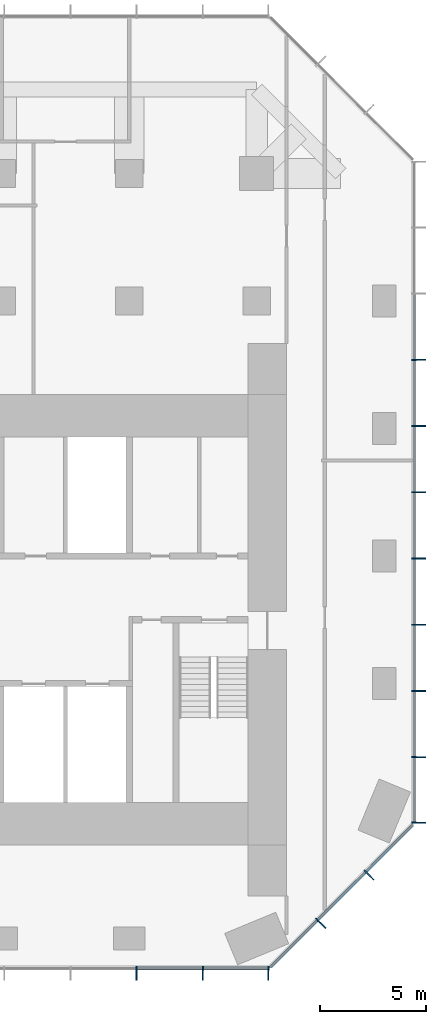
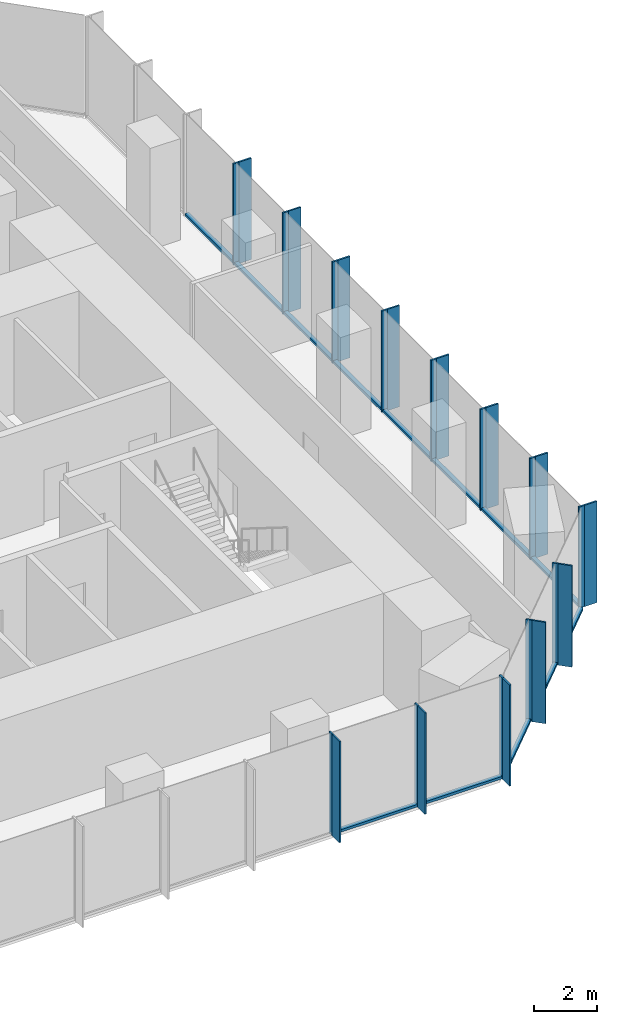
# One storey, part 4 of 11: 39 members, 3 elements without a shape of their own.
"""IFC4 building model written with IfcOpenShell, lengths in metres."""

from ifc_helpers import new_model, si_unit, direction, frame, origin, origin_2d, place, context, subcontext, project, spatial, rectangle, extrude, material, layer, layer_set, material_profile, profile_set, type_object, element, aggregate, save


model = new_model("IFC4")

# Units and contexts
model_context = context("Model", 3, precision=1e-05, world=origin(), true_north=direction((0.0, 1.0)))
body_context = subcontext(model_context, "Body", "Model", "MODEL_VIEW")
ifc_project = project(units=[si_unit("LENGTHUNIT", "METRE"), si_unit("AREAUNIT", "SQUARE_METRE"), si_unit("VOLUMEUNIT", "CUBIC_METRE"), si_unit("PLANEANGLEUNIT", "RADIAN"), si_unit("MASSUNIT", "GRAM", prefix="KILO")], contexts=[model_context])

# Site, building, storey
site_placement = place(None, origin())
site = spatial("IfcSite", under=ifc_project, at=site_placement, CompositionType="ELEMENT")
building_placement = place(site_placement, origin())
building = spatial("IfcBuilding", under=site, at=building_placement, Name="Highveld Stack Headquarters", CompositionType="ELEMENT")
storey_placement = place(building_placement, frame((0.0, 0.0, 196.699951171875)))
storey = spatial("IfcBuildingStorey", under=building, at=storey_placement, Name="L48", CompositionType="ELEMENT", Elevation=196.699951171875)

# Curtain wall, members
ifc_material_1 = material(Name="Aluminium bronze anodised", Category="aluminium")
ifc_layer_1 = layer(ifc_material_1, 0.199951171875)
ifc_layer_set_1 = layer_set([ifc_layer_1], Name="Aluminium bronze anodised")
curtain_wall_type_1 = type_object("IfcCurtainWallType", Name="CW1 TOWER UNITISED CURTAIN WALL", PredefinedType="NOTDEFINED", material=ifc_layer_set_1)
curtain_wall_1_placement = place(storey_placement, origin())
curtain_wall_1 = element("IfcCurtainWall", 1, at=curtain_wall_1_placement, inside=storey, type_object=curtain_wall_type_1, Name="Curtain wall CW1 L48 S", PredefinedType="NOTDEFINED")
ifc_material_2 = material(Name="Aluminium bronze anodised", Category="aluminium")
ifc_material_profile_1 = material_profile(ifc_material_2, rectangle(XDim=0.449951171875, YDim=0.06005859375, at=origin_2d()), Name="FIN 450x60")
ifc_profile_set_1 = profile_set([ifc_material_profile_1], Name="Aluminium bronze anodised")
member_type_1 = type_object("IfcMemberType", Name="CW1 BRONZE FIN 450x60", PredefinedType="USERDEFINED", material=ifc_profile_set_1)
member_1_placement = place(storey_placement, frame((12.347900390625, -13.72509765625, 0.0), z_axis=(0.0, 0.0, 1.0), x_axis=(0.0, 1.0, 0.0)))
member_1 = element("IfcMember", 2, at=member_1_placement, type_object=member_type_1, Name="CW1 fin L48 9", ObjectType="FIN", PredefinedType="USERDEFINED", context=body_context, shape_type="SweptSolid", body=[
    extrude(rectangle(XDim=0.449951171875, YDim=0.06005859375, at=origin_2d()), origin(), (0.0, 0.0, 1.0), 3.900146484375),
])
member_2_placement = place(storey_placement, frame((15.4638671875, -13.72509765625, 0.0), z_axis=(0.0, 0.0, 1.0), x_axis=(0.0, 1.0, 0.0)))
member_2 = element("IfcMember", 3, at=member_2_placement, type_object=member_type_1, Name="CW1 fin L48 10", ObjectType="FIN", PredefinedType="USERDEFINED", context=body_context, shape_type="SweptSolid", body=[
    extrude(rectangle(XDim=0.449951171875, YDim=0.06005859375, at=origin_2d()), origin(), (0.0, 0.0, 1.0), 3.900146484375),
])
member_3_placement = place(storey_placement, frame((18.54736328125, -13.72509765625, 0.0), z_axis=(0.0, 0.0, 1.0), x_axis=(0.0, 1.0, 0.0)))
member_3 = element("IfcMember", 4, at=member_3_placement, type_object=member_type_1, Name="CW1 fin L48 11", ObjectType="FIN", PredefinedType="USERDEFINED", context=body_context, shape_type="SweptSolid", body=[
    extrude(rectangle(XDim=0.449951171875, YDim=0.06005859375, at=origin_2d()), origin(), (0.0, 0.0, 1.0), 3.900146484375),
])

curtain_wall_2_placement = place(storey_placement, origin())
curtain_wall_2 = element("IfcCurtainWall", 5, at=curtain_wall_2_placement, inside=storey, type_object=curtain_wall_type_1, Name="Curtain wall CW1 L48 E", PredefinedType="NOTDEFINED")
member_4_placement = place(storey_placement, frame((25.72509765625, -6.54736328125, 0.0), z_axis=(0.0, 0.0, 1.0), x_axis=(-1.0, 0.0, 0.0)))
member_4 = element("IfcMember", 6, at=member_4_placement, type_object=member_type_1, Name="CW1 fin L48 1", ObjectType="FIN", PredefinedType="USERDEFINED", context=body_context, shape_type="SweptSolid", body=[
    extrude(rectangle(XDim=0.449951171875, YDim=0.06005859375, at=origin_2d()), origin(), (0.0, 0.0, 1.0), 3.900146484375),
])
member_5_placement = place(storey_placement, frame((25.72509765625, -3.4638671875, 0.0), z_axis=(0.0, 0.0, 1.0), x_axis=(-1.0, 0.0, 0.0)))
member_5 = element("IfcMember", 7, at=member_5_placement, type_object=member_type_1, Name="CW1 fin L48 2", ObjectType="FIN", PredefinedType="USERDEFINED", context=body_context, shape_type="SweptSolid", body=[
    extrude(rectangle(XDim=0.449951171875, YDim=0.06005859375, at=origin_2d()), origin(), (0.0, 0.0, 1.0), 3.900146484375),
])
member_6_placement = place(storey_placement, frame((25.72509765625, -0.347900390625, 0.0), z_axis=(0.0, 0.0, 1.0), x_axis=(-1.0, 0.0, 0.0)))
member_6 = element("IfcMember", 8, at=member_6_placement, type_object=member_type_1, Name="CW1 fin L48 3", ObjectType="FIN", PredefinedType="USERDEFINED", context=body_context, shape_type="SweptSolid", body=[
    extrude(rectangle(XDim=0.449951171875, YDim=0.06005859375, at=origin_2d()), origin(), (0.0, 0.0, 1.0), 3.900146484375),
])
member_7_placement = place(storey_placement, frame((25.72509765625, 2.76806640625, 0.0), z_axis=(0.0, 0.0, 1.0), x_axis=(-1.0, 0.0, 0.0)))
member_7 = element("IfcMember", 9, at=member_7_placement, type_object=member_type_1, Name="CW1 fin L48 4", ObjectType="FIN", PredefinedType="USERDEFINED", context=body_context, shape_type="SweptSolid", body=[
    extrude(rectangle(XDim=0.449951171875, YDim=0.06005859375, at=origin_2d()), origin(), (0.0, 0.0, 1.0), 3.900146484375),
])
member_8_placement = place(storey_placement, frame((25.72509765625, 5.884033203125, 0.0), z_axis=(0.0, 0.0, 1.0), x_axis=(-1.0, 0.0, 0.0)))
member_8 = element("IfcMember", 10, at=member_8_placement, type_object=member_type_1, Name="CW1 fin L48 5", ObjectType="FIN", PredefinedType="USERDEFINED", context=body_context, shape_type="SweptSolid", body=[
    extrude(rectangle(XDim=0.449951171875, YDim=0.06005859375, at=origin_2d()), origin(), (0.0, 0.0, 1.0), 3.900146484375),
])
member_9_placement = place(storey_placement, frame((25.72509765625, 9.0, 0.0), z_axis=(0.0, 0.0, 1.0), x_axis=(-1.0, 0.0, 0.0)))
member_9 = element("IfcMember", 11, at=member_9_placement, type_object=member_type_1, Name="CW1 fin L48 6", ObjectType="FIN", PredefinedType="USERDEFINED", context=body_context, shape_type="SweptSolid", body=[
    extrude(rectangle(XDim=0.449951171875, YDim=0.06005859375, at=origin_2d()), origin(), (0.0, 0.0, 1.0), 3.900146484375),
])
member_10_placement = place(storey_placement, frame((25.72509765625, 12.115966796875, 0.0), z_axis=(0.0, 0.0, 1.0), x_axis=(-1.0, 0.0, 0.0)))
member_10 = element("IfcMember", 12, at=member_10_placement, type_object=member_type_1, Name="CW1 fin L48 7", ObjectType="FIN", PredefinedType="USERDEFINED", context=body_context, shape_type="SweptSolid", body=[
    extrude(rectangle(XDim=0.449951171875, YDim=0.06005859375, at=origin_2d()), origin(), (0.0, 0.0, 1.0), 3.900146484375),
])
member_11_placement = place(storey_placement, frame((25.72509765625, 15.23193359375, 0.0), z_axis=(0.0, 0.0, 1.0), x_axis=(-1.0, 0.0, 0.0)))
member_11 = element("IfcMember", 13, at=member_11_placement, type_object=member_type_1, Name="CW1 fin L48 8", ObjectType="FIN", PredefinedType="USERDEFINED", context=body_context, shape_type="SweptSolid", body=[
    extrude(rectangle(XDim=0.449951171875, YDim=0.06005859375, at=origin_2d()), origin(), (0.0, 0.0, 1.0), 3.900146484375),
])

# Member
ifc_material_3 = material(Name="Aluminium bronze anodised", Category="aluminium")
ifc_material_profile_2 = material_profile(ifc_material_3, rectangle(XDim=0.199951171875, YDim=0.06494140625, at=origin_2d()), Name="CW1 MULLION 65x200")
ifc_profile_set_2 = profile_set([ifc_material_profile_2], Name="Aluminium bronze anodised")
member_type_2 = type_object("IfcMemberType", Name="CW1 MULLION 65x200", PredefinedType="MULLION", material=ifc_profile_set_2)
member_12_placement = place(storey_placement, frame((12.347900390625, -13.39990234375, 0.0), z_axis=(0.0, 0.0, 1.0), x_axis=(0.0, 1.0, 0.0)))
member_12 = element("IfcMember", 14, at=member_12_placement, type_object=member_type_2, Name="CW1 mullion L48 9", PredefinedType="MULLION", context=body_context, shape_type="SweptSolid", body=[
    extrude(rectangle(XDim=0.199951171875, YDim=0.06494140625, at=origin_2d()), origin(), (0.0, 0.0, 1.0), 3.900146484375),
])

member_13_placement = place(storey_placement, frame((15.4638671875, -13.39990234375, 0.0), z_axis=(0.0, 0.0, 1.0), x_axis=(0.0, 1.0, 0.0)))
member_13 = element("IfcMember", 15, at=member_13_placement, type_object=member_type_2, Name="CW1 mullion L48 10", PredefinedType="MULLION", context=body_context, shape_type="SweptSolid", body=[
    extrude(rectangle(XDim=0.199951171875, YDim=0.06494140625, at=origin_2d()), origin(), (0.0, 0.0, 1.0), 3.900146484375),
])

member_14_placement = place(storey_placement, frame((18.54736328125, -13.39990234375, 0.0), z_axis=(0.0, 0.0, 1.0), x_axis=(0.0, 1.0, 0.0)))
member_14 = element("IfcMember", 16, at=member_14_placement, type_object=member_type_2, Name="CW1 mullion L48 11", PredefinedType="MULLION", context=body_context, shape_type="SweptSolid", body=[
    extrude(rectangle(XDim=0.199951171875, YDim=0.06494140625, at=origin_2d()), origin(), (0.0, 0.0, 1.0), 3.900146484375),
])

member_15_placement = place(storey_placement, frame((25.39990234375, -6.54736328125, 0.0), z_axis=(0.0, 0.0, 1.0), x_axis=(-1.0, 0.0, 0.0)))
member_15 = element("IfcMember", 17, at=member_15_placement, type_object=member_type_2, Name="CW1 mullion L48 1", PredefinedType="MULLION", context=body_context, shape_type="SweptSolid", body=[
    extrude(rectangle(XDim=0.199951171875, YDim=0.06494140625, at=origin_2d()), origin(), (0.0, 0.0, 1.0), 3.900146484375),
])

member_16_placement = place(storey_placement, frame((25.39990234375, -3.4638671875, 0.0), z_axis=(0.0, 0.0, 1.0), x_axis=(-1.0, 0.0, 0.0)))
member_16 = element("IfcMember", 18, at=member_16_placement, type_object=member_type_2, Name="CW1 mullion L48 2", PredefinedType="MULLION", context=body_context, shape_type="SweptSolid", body=[
    extrude(rectangle(XDim=0.199951171875, YDim=0.06494140625, at=origin_2d()), origin(), (0.0, 0.0, 1.0), 3.900146484375),
])

member_17_placement = place(storey_placement, frame((25.39990234375, -0.347900390625, 0.0), z_axis=(0.0, 0.0, 1.0), x_axis=(-1.0, 0.0, 0.0)))
member_17 = element("IfcMember", 19, at=member_17_placement, type_object=member_type_2, Name="CW1 mullion L48 3", PredefinedType="MULLION", context=body_context, shape_type="SweptSolid", body=[
    extrude(rectangle(XDim=0.199951171875, YDim=0.06494140625, at=origin_2d()), origin(), (0.0, 0.0, 1.0), 3.900146484375),
])

member_18_placement = place(storey_placement, frame((25.39990234375, 2.76806640625, 0.0), z_axis=(0.0, 0.0, 1.0), x_axis=(-1.0, 0.0, 0.0)))
member_18 = element("IfcMember", 20, at=member_18_placement, type_object=member_type_2, Name="CW1 mullion L48 4", PredefinedType="MULLION", context=body_context, shape_type="SweptSolid", body=[
    extrude(rectangle(XDim=0.199951171875, YDim=0.06494140625, at=origin_2d()), origin(), (0.0, 0.0, 1.0), 3.900146484375),
])

member_19_placement = place(storey_placement, frame((25.39990234375, 5.884033203125, 0.0), z_axis=(0.0, 0.0, 1.0), x_axis=(-1.0, 0.0, 0.0)))
member_19 = element("IfcMember", 21, at=member_19_placement, type_object=member_type_2, Name="CW1 mullion L48 5", PredefinedType="MULLION", context=body_context, shape_type="SweptSolid", body=[
    extrude(rectangle(XDim=0.199951171875, YDim=0.06494140625, at=origin_2d()), origin(), (0.0, 0.0, 1.0), 3.900146484375),
])

member_20_placement = place(storey_placement, frame((25.39990234375, 9.0, 0.0), z_axis=(0.0, 0.0, 1.0), x_axis=(-1.0, 0.0, 0.0)))
member_20 = element("IfcMember", 22, at=member_20_placement, type_object=member_type_2, Name="CW1 mullion L48 6", PredefinedType="MULLION", context=body_context, shape_type="SweptSolid", body=[
    extrude(rectangle(XDim=0.199951171875, YDim=0.06494140625, at=origin_2d()), origin(), (0.0, 0.0, 1.0), 3.900146484375),
])

member_21_placement = place(storey_placement, frame((25.39990234375, 12.115966796875, 0.0), z_axis=(0.0, 0.0, 1.0), x_axis=(-1.0, 0.0, 0.0)))
member_21 = element("IfcMember", 23, at=member_21_placement, type_object=member_type_2, Name="CW1 mullion L48 7", PredefinedType="MULLION", context=body_context, shape_type="SweptSolid", body=[
    extrude(rectangle(XDim=0.199951171875, YDim=0.06494140625, at=origin_2d()), origin(), (0.0, 0.0, 1.0), 3.900146484375),
])

member_22_placement = place(storey_placement, frame((25.39990234375, 15.23193359375, 0.0), z_axis=(0.0, 0.0, 1.0), x_axis=(-1.0, 0.0, 0.0)))
member_22 = element("IfcMember", 24, at=member_22_placement, type_object=member_type_2, Name="CW1 mullion L48 8", PredefinedType="MULLION", context=body_context, shape_type="SweptSolid", body=[
    extrude(rectangle(XDim=0.199951171875, YDim=0.06494140625, at=origin_2d()), origin(), (0.0, 0.0, 1.0), 3.900146484375),
])

ifc_material_4 = material(Name="Aluminium bronze anodised", Category="aluminium")
ifc_material_profile_3 = material_profile(ifc_material_4, rectangle(XDim=0.14990234375, YDim=0.10009765625, at=origin_2d()), Name="CW1 TRANSOM 150x100")
ifc_profile_set_3 = profile_set([ifc_material_profile_3], Name="Aluminium bronze anodised")
member_type_3 = type_object("IfcMemberType", Name="CW1 STACK TRANSOM 150x100", PredefinedType="USERDEFINED", material=ifc_profile_set_3)
member_23_placement = place(storey_placement, frame((12.38037109375, -13.39990234375, 0.050048828125), z_axis=(1.0, 0.0, 0.0), x_axis=(0.0, 1.0, 0.0)))
member_23 = element("IfcMember", 25, at=member_23_placement, type_object=member_type_3, Name="CW1 transom L48 9.1", ObjectType="TRANSOM", PredefinedType="USERDEFINED", context=body_context, shape_type="SweptSolid", body=[
    extrude(rectangle(XDim=0.14990234375, YDim=0.10009765625, at=origin_2d()), origin(), (0.0, 0.0, 1.0), 3.051025390625),
])

member_24_placement = place(storey_placement, frame((15.496337890625, -13.39990234375, 0.050048828125), z_axis=(1.0, 0.0, 0.0), x_axis=(0.0, 1.0, 0.0)))
member_24 = element("IfcMember", 26, at=member_24_placement, type_object=member_type_3, Name="CW1 transom L48 10.1", ObjectType="TRANSOM", PredefinedType="USERDEFINED", context=body_context, shape_type="SweptSolid", body=[
    extrude(rectangle(XDim=0.14990234375, YDim=0.10009765625, at=origin_2d()), origin(), (0.0, 0.0, 1.0), 3.0185546875),
])

aggregate(curtain_wall_1, [member_12, member_1, member_13, member_2, member_14, member_3, member_23, member_24])

member_25_placement = place(storey_placement, frame((25.39990234375, -6.514892578125, 0.050048828125), z_axis=(0.0, 1.0, 0.0), x_axis=(-1.0, 0.0, 0.0)))
member_25 = element("IfcMember", 27, at=member_25_placement, type_object=member_type_3, Name="CW1 transom L48 1.1", ObjectType="TRANSOM", PredefinedType="USERDEFINED", context=body_context, shape_type="SweptSolid", body=[
    extrude(rectangle(XDim=0.14990234375, YDim=0.10009765625, at=origin_2d()), origin(), (0.0, 0.0, 1.0), 3.0185546875),
])

member_26_placement = place(storey_placement, frame((25.39990234375, -3.431396484375, 0.050048828125), z_axis=(0.0, 1.0, 0.0), x_axis=(-1.0, 0.0, 0.0)))
member_26 = element("IfcMember", 28, at=member_26_placement, type_object=member_type_3, Name="CW1 transom L48 2.1", ObjectType="TRANSOM", PredefinedType="USERDEFINED", context=body_context, shape_type="SweptSolid", body=[
    extrude(rectangle(XDim=0.14990234375, YDim=0.10009765625, at=origin_2d()), origin(), (0.0, 0.0, 1.0), 3.051025390625),
])

member_27_placement = place(storey_placement, frame((25.39990234375, -0.3154296875, 0.050048828125), z_axis=(0.0, 1.0, 0.0), x_axis=(-1.0, 0.0, 0.0)))
member_27 = element("IfcMember", 29, at=member_27_placement, type_object=member_type_3, Name="CW1 transom L48 3.1", ObjectType="TRANSOM", PredefinedType="USERDEFINED", context=body_context, shape_type="SweptSolid", body=[
    extrude(rectangle(XDim=0.14990234375, YDim=0.10009765625, at=origin_2d()), origin(), (0.0, 0.0, 1.0), 3.051025390625),
])

member_28_placement = place(storey_placement, frame((25.39990234375, 2.800537109375, 0.050048828125), z_axis=(0.0, 1.0, 0.0), x_axis=(-1.0, 0.0, 0.0)))
member_28 = element("IfcMember", 30, at=member_28_placement, type_object=member_type_3, Name="CW1 transom L48 4.1", ObjectType="TRANSOM", PredefinedType="USERDEFINED", context=body_context, shape_type="SweptSolid", body=[
    extrude(rectangle(XDim=0.14990234375, YDim=0.10009765625, at=origin_2d()), origin(), (0.0, 0.0, 1.0), 3.051025390625),
])

member_29_placement = place(storey_placement, frame((25.39990234375, 5.91650390625, 0.050048828125), z_axis=(0.0, 1.0, 0.0), x_axis=(-1.0, 0.0, 0.0)))
member_29 = element("IfcMember", 31, at=member_29_placement, type_object=member_type_3, Name="CW1 transom L48 5.1", ObjectType="TRANSOM", PredefinedType="USERDEFINED", context=body_context, shape_type="SweptSolid", body=[
    extrude(rectangle(XDim=0.14990234375, YDim=0.10009765625, at=origin_2d()), origin(), (0.0, 0.0, 1.0), 3.051025390625),
])

member_30_placement = place(storey_placement, frame((25.39990234375, 9.032470703125, 0.050048828125), z_axis=(0.0, 1.0, 0.0), x_axis=(-1.0, 0.0, 0.0)))
member_30 = element("IfcMember", 32, at=member_30_placement, type_object=member_type_3, Name="CW1 transom L48 6.1", ObjectType="TRANSOM", PredefinedType="USERDEFINED", context=body_context, shape_type="SweptSolid", body=[
    extrude(rectangle(XDim=0.14990234375, YDim=0.10009765625, at=origin_2d()), origin(), (0.0, 0.0, 1.0), 3.051025390625),
])

member_31_placement = place(storey_placement, frame((25.39990234375, 12.1484375, 0.050048828125), z_axis=(0.0, 1.0, 0.0), x_axis=(-1.0, 0.0, 0.0)))
member_31 = element("IfcMember", 33, at=member_31_placement, type_object=member_type_3, Name="CW1 transom L48 7.1", ObjectType="TRANSOM", PredefinedType="USERDEFINED", context=body_context, shape_type="SweptSolid", body=[
    extrude(rectangle(XDim=0.14990234375, YDim=0.10009765625, at=origin_2d()), origin(), (0.0, 0.0, 1.0), 3.051025390625),
])

member_32_placement = place(storey_placement, frame((25.39990234375, 15.264404296875, 0.050048828125), z_axis=(0.0, 1.0, 0.0), x_axis=(-1.0, 0.0, 0.0)))
member_32 = element("IfcMember", 34, at=member_32_placement, type_object=member_type_3, Name="CW1 transom L48 8.1", ObjectType="TRANSOM", PredefinedType="USERDEFINED", context=body_context, shape_type="SweptSolid", body=[
    extrude(rectangle(XDim=0.14990234375, YDim=0.10009765625, at=origin_2d()), origin(), (0.0, 0.0, 1.0), 3.051025390625),
])

aggregate(curtain_wall_2, [member_15, member_4, member_16, member_5, member_17, member_6, member_18, member_7, member_19, member_8, member_20, member_9, member_21, member_10, member_22, member_11, member_25, member_26, member_27, member_28, member_29, member_30, member_31, member_32])

# Curtain wall, members
ifc_material_5 = material(Name="Aluminium bronze anodised", Category="aluminium")
ifc_layer_2 = layer(ifc_material_5, 0.199951171875)
ifc_layer_set_2 = layer_set([ifc_layer_2], Name="Aluminium bronze anodised")
curtain_wall_type_2 = type_object("IfcCurtainWallType", Name="CW2 TOWER CHAMFER UNITISED CURTAIN WALL", PredefinedType="NOTDEFINED", material=ifc_layer_set_2)
curtain_wall_3_placement = place(storey_placement, origin())
curtain_wall_3 = element("IfcCurtainWall", 35, at=curtain_wall_3_placement, inside=storey, type_object=curtain_wall_type_2, Name="Curtain wall CW2 L48 SE", PredefinedType="NOTDEFINED")
ifc_material_6 = material(Name="Aluminium bronze anodised", Category="aluminium")
ifc_material_profile_4 = material_profile(ifc_material_6, rectangle(XDim=0.449951171875, YDim=0.06005859375, at=origin_2d()), Name="FIN 450x60")
ifc_profile_set_4 = profile_set([ifc_material_profile_4], Name="Aluminium bronze anodised")
member_type_4 = type_object("IfcMemberType", Name="CW2 BRONZE FIN 450x60", PredefinedType="USERDEFINED", material=ifc_profile_set_4)
member_33_placement = place(storey_placement, frame((21.0830078125, -11.3564453125, 0.0), z_axis=(0.0, 0.0, 1.0), x_axis=(-0.707106781187, 0.707106781187, 0.0)))
member_33 = element("IfcMember", 36, at=member_33_placement, type_object=member_type_4, Name="CW2 fin L48 1", ObjectType="FIN", PredefinedType="USERDEFINED", context=body_context, shape_type="SweptSolid", body=[
    extrude(rectangle(XDim=0.449951171875, YDim=0.06005859375, at=origin_2d()), origin(), (0.0, 0.0, 1.0), 3.900146484375),
])
member_34_placement = place(storey_placement, frame((23.3564453125, -9.0830078125, 0.0), z_axis=(0.0, 0.0, 1.0), x_axis=(-0.707106781187, 0.707106781187, 0.0)))
member_34 = element("IfcMember", 37, at=member_34_placement, type_object=member_type_4, Name="CW2 fin L48 2", ObjectType="FIN", PredefinedType="USERDEFINED", context=body_context, shape_type="SweptSolid", body=[
    extrude(rectangle(XDim=0.449951171875, YDim=0.06005859375, at=origin_2d()), origin(), (0.0, 0.0, 1.0), 3.900146484375),
])
ifc_material_7 = material(Name="Aluminium bronze anodised", Category="aluminium")
ifc_material_profile_5 = material_profile(ifc_material_7, rectangle(XDim=0.199951171875, YDim=0.06494140625, at=origin_2d()), Name="CW2 MULLION 65x200")
ifc_profile_set_5 = profile_set([ifc_material_profile_5], Name="Aluminium bronze anodised")
member_type_5 = type_object("IfcMemberType", Name="CW2 MULLION 65x200", PredefinedType="MULLION", material=ifc_profile_set_5)
member_35_placement = place(storey_placement, frame((20.853271484375, -11.126708984375, 0.0), z_axis=(0.0, 0.0, 1.0), x_axis=(-0.707106781187, 0.707106781187, 0.0)))
member_35 = element("IfcMember", 38, at=member_35_placement, type_object=member_type_5, Name="CW2 mullion L48 1", PredefinedType="MULLION", context=body_context, shape_type="SweptSolid", body=[
    extrude(rectangle(XDim=0.199951171875, YDim=0.06494140625, at=origin_2d()), origin(), (0.0, 0.0, 1.0), 3.900146484375),
])
member_36_placement = place(storey_placement, frame((23.126708984375, -8.853271484375, 0.0), z_axis=(0.0, 0.0, 1.0), x_axis=(-0.707106781187, 0.707106781187, 0.0)))
member_36 = element("IfcMember", 39, at=member_36_placement, type_object=member_type_5, Name="CW2 mullion L48 2", PredefinedType="MULLION", context=body_context, shape_type="SweptSolid", body=[
    extrude(rectangle(XDim=0.199951171875, YDim=0.06494140625, at=origin_2d()), origin(), (0.0, 0.0, 1.0), 3.900146484375),
])
ifc_material_8 = material(Name="Aluminium bronze anodised", Category="aluminium")
ifc_material_profile_6 = material_profile(ifc_material_8, rectangle(XDim=0.14990234375, YDim=0.10009765625, at=origin_2d()), Name="CW2 TRANSOM 150x100")
ifc_profile_set_6 = profile_set([ifc_material_profile_6], Name="Aluminium bronze anodised")
member_type_6 = type_object("IfcMemberType", Name="CW2 STACK TRANSOM 150x100", PredefinedType="USERDEFINED", material=ifc_profile_set_6)
member_37_placement = place(storey_placement, frame((18.650634765625, -13.329345703125, 0.050048828125), z_axis=(0.707106781187, 0.707106781187, 0.0), x_axis=(-0.707106781187, 0.707106781187, 0.0)))
member_37 = element("IfcMember", 40, at=member_37_placement, type_object=member_type_6, Name="CW2 transom L48 1.1", ObjectType="TRANSOM", PredefinedType="USERDEFINED", context=body_context, shape_type="SweptSolid", body=[
    extrude(rectangle(XDim=0.14990234375, YDim=0.10009765625, at=origin_2d()), origin(), (0.0, 0.0, 1.0), 3.08251953125),
])
member_38_placement = place(storey_placement, frame((20.876220703125, -11.103759765625, 0.050048828125), z_axis=(0.707106781187, 0.707106781187, 0.0), x_axis=(-0.707106781187, 0.707106781187, 0.0)))
member_38 = element("IfcMember", 41, at=member_38_placement, type_object=member_type_6, Name="CW2 transom L48 2.1", ObjectType="TRANSOM", PredefinedType="USERDEFINED", context=body_context, shape_type="SweptSolid", body=[
    extrude(rectangle(XDim=0.14990234375, YDim=0.10009765625, at=origin_2d()), origin(), (0.0, 0.0, 1.0), 3.150146484375),
])
member_39_placement = place(storey_placement, frame((23.149658203125, -8.830322265625, 0.050048828125), z_axis=(0.707106781187, 0.707106781187, 0.0), x_axis=(-0.707106781187, 0.707106781187, 0.0)))
member_39 = element("IfcMember", 42, at=member_39_placement, type_object=member_type_6, Name="CW2 transom L48 3.1", ObjectType="TRANSOM", PredefinedType="USERDEFINED", context=body_context, shape_type="SweptSolid", body=[
    extrude(rectangle(XDim=0.14990234375, YDim=0.10009765625, at=origin_2d()), origin(), (0.0, 0.0, 1.0), 3.08251953125),
])
aggregate(curtain_wall_3, [member_35, member_33, member_36, member_34, member_37, member_38, member_39])

save(model, "model.ifc")
